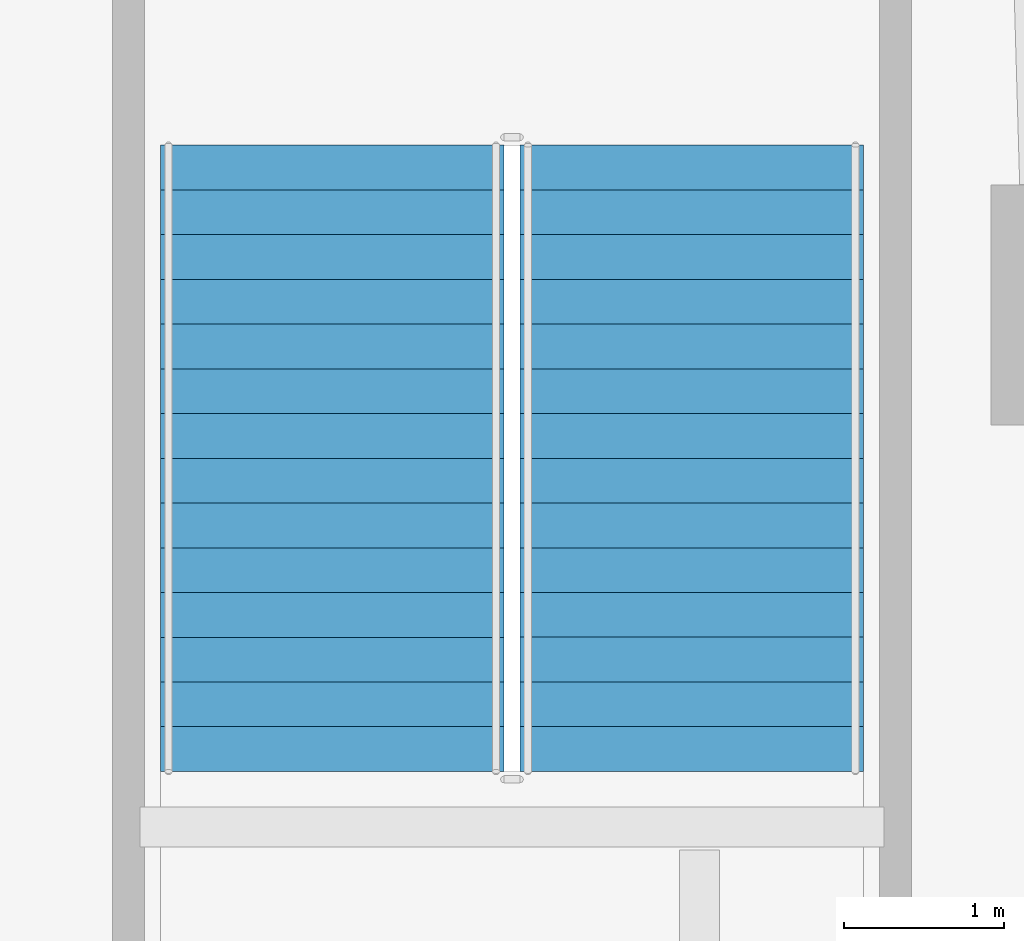
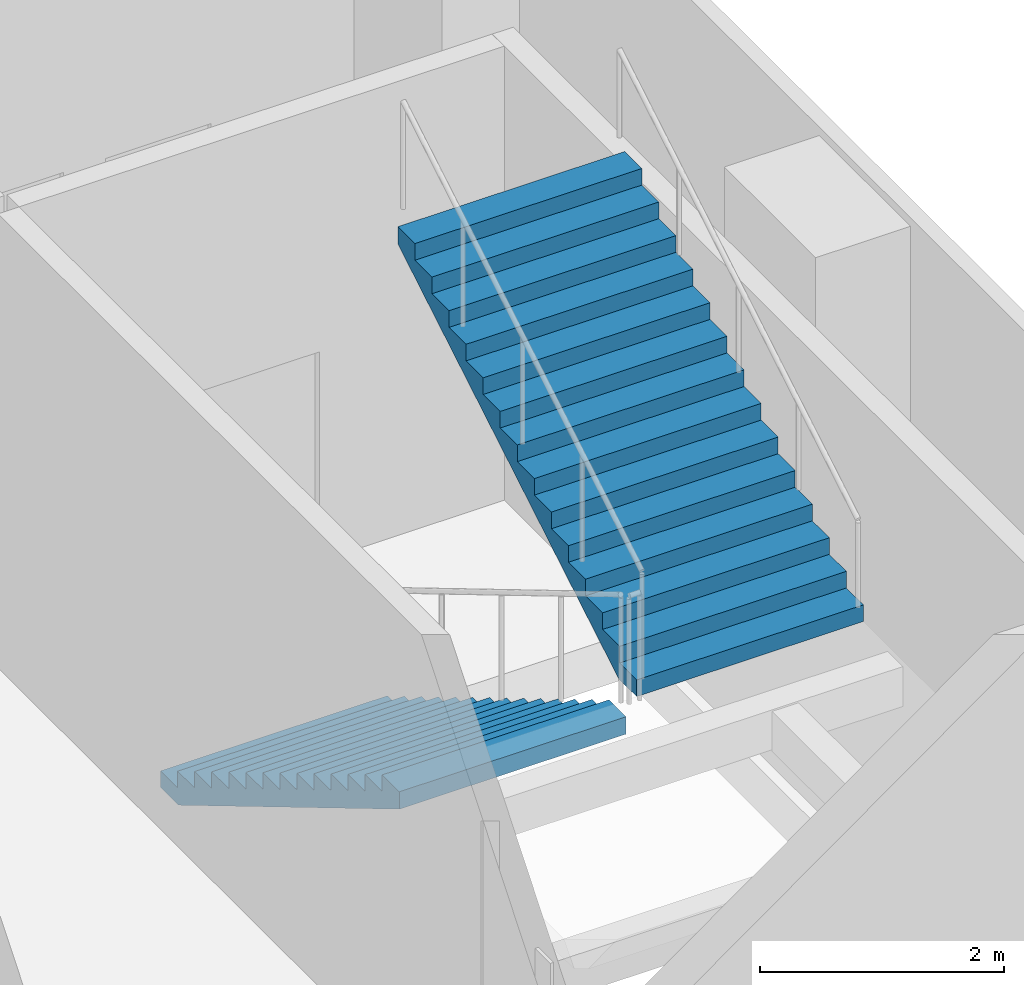
# One storey, part 15 of 24: 2 stair flights, 1 element without a shape of its own.
"""IFC4 building model written with IfcOpenShell, lengths in metres."""

from ifc_helpers import new_model, si_unit, direction, frame, origin, place, context, subcontext, project, spatial, triangles, material, type_object, element, aggregate, save


model = new_model("IFC4")

# Units and contexts
model_context = context("Model", 3, precision=1e-05, world=origin(), true_north=direction((0.0, 1.0)))
body_context = subcontext(model_context, "Body", "Model", "MODEL_VIEW")
ifc_project = project(units=[si_unit("LENGTHUNIT", "METRE"), si_unit("AREAUNIT", "SQUARE_METRE"), si_unit("VOLUMEUNIT", "CUBIC_METRE"), si_unit("PLANEANGLEUNIT", "RADIAN"), si_unit("MASSUNIT", "GRAM", prefix="KILO")], contexts=[model_context])

# Site, building, storey
site_placement = place(None, origin())
site = spatial("IfcSite", under=ifc_project, at=site_placement, CompositionType="ELEMENT")
building_placement = place(site_placement, origin())
building = spatial("IfcBuilding", under=site, at=building_placement, Name="Verdalira Terraces Hotel", CompositionType="ELEMENT")
storey_placement = place(building_placement, frame((0.0, 0.0, 14.0)))
storey = spatial("IfcBuildingStorey", under=building, at=storey_placement, Name="L02", CompositionType="ELEMENT", Elevation=14.0)

# Stair, stair flights
ifc_material_1 = material(Name="Concrete C40", Category="concrete")
stair_type = type_object("IfcStairType", Name="Podium stair 30 risers", PredefinedType="HALF_TURN_STAIR", material=ifc_material_1)
stair_placement = place(storey_placement, origin())
stair = element("IfcStair", 1, at=stair_placement, inside=storey, type_object=stair_type, Name="L02 Exit stair PS4", PredefinedType="HALF_TURN_STAIR")
ifc_material_2 = material(Name="Concrete C40", Category="concrete")
stair_flight_type = type_object("IfcStairFlightType", Name="Podium stair flight 30 risers", PredefinedType="STRAIGHT", material=ifc_material_2)
stair_flight_1_placement = place(storey_placement, frame((19.033447, 1.0, 0.0), z_axis=(0.0, 0.0, 1.0), x_axis=(0.0, -1.0, 0.0)))
stair_flight_1 = element("IfcStairFlight", 2, at=stair_flight_1_placement, type_object=stair_flight_type, Name="PS4 flight 1", NumberOfRisers=15, NumberOfTreads=14, PredefinedType="STRAIGHT", RiserHeight=0.166666667, TreadLength=0.28, context=body_context, shape_type="Tessellation", body=[
    triangles([(0.0, 1.074951, 0.0), (0.292969, 1.074951, 0.0), (3.919922, 1.074951, 2.158936), (0.0, -1.074951, 0.0), (0.292969, -1.074951, 0.0), (3.919922, -1.074951, 2.158936), (3.919922, 1.074951, 2.333252), (3.639893, 1.074951, 2.333252), (3.919922, -1.074951, 2.333252), (3.639893, -1.074951, 2.333252), (3.639893, 1.074951, 2.166748), (3.639893, -1.074951, 2.166748), (3.360107, 1.074951, 2.166748), (3.360107, -1.074951, 2.166748), (3.360107, 1.074951, 2.0), (3.360107, -1.074951, 2.0), (3.080078, 1.074951, 2.0), (3.080078, 1.074951, 1.833252), (3.080078, -1.074951, 2.0), (3.080078, -1.074951, 1.833252), (2.800049, 1.074951, 1.833252), (2.800049, 1.074951, 1.666748), (2.800049, -1.074951, 1.833252), (2.800049, -1.074951, 1.666748), (2.52002, 1.074951, 1.666748), (2.52002, 1.074951, 1.5), (2.52002, -1.074951, 1.666748), (2.52002, -1.074951, 1.5), (2.23999, 1.074951, 1.5), (2.23999, 1.074951, 1.333252), (2.23999, -1.074951, 1.5), (2.23999, -1.074951, 1.333252), (1.959961, 1.074951, 1.333252), (1.959961, 1.074951, 1.166748), (1.959961, -1.074951, 1.333252), (1.959961, -1.074951, 1.166748), (1.679932, 1.074951, 1.166748), (1.679932, 1.074951, 1.0), (1.679932, -1.074951, 1.166748), (1.679932, -1.074951, 1.0), (1.399902, 1.074951, 1.0), (1.399902, 1.074951, 0.833252), (1.399902, -1.074951, 1.0), (1.399902, -1.074951, 0.833252), (1.120117, 1.074951, 0.833252), (1.120117, 1.074951, 0.666748), (1.120117, -1.074951, 0.833252), (1.120117, -1.074951, 0.666748), (0.840088, 1.074951, 0.666748), (0.840088, 1.074951, 0.5), (0.840088, -1.074951, 0.666748), (0.840088, -1.074951, 0.5), (0.560059, 1.074951, 0.5), (0.560059, 1.074951, 0.333252), (0.560059, -1.074951, 0.5), (0.560059, -1.074951, 0.333252), (0.280029, 1.074951, 0.333252), (0.280029, 1.074951, 0.166748), (0.280029, -1.074951, 0.333252), (0.280029, -1.074951, 0.166748), (0.0, 1.074951, 0.166748), (0.0, -1.074951, 0.166748), (0.0, -1.007767, 0.0), (0.0, -1.007767, 0.166748), (0.0, -0.940582, 0.0), (0.0, -0.940582, 0.166748), (0.0, -0.873398, 0.0), (0.0, -0.873398, 0.166748), (0.0, -0.806213, 0.0), (0.0, -0.806213, 0.166748), (0.0, -0.739029, 0.0), (0.0, -0.739029, 0.166748), (0.0, -0.671844, 0.0), (0.0, -0.671844, 0.166748), (0.0, -0.60466, 0.0), (0.0, -0.60466, 0.166748), (0.0, -0.537476, 0.0), (0.0, -0.537476, 0.166748), (0.0, -0.470291, 0.0), (0.0, -0.470291, 0.166748), (0.0, -0.403107, 0.0), (0.0, -0.403107, 0.166748), (0.0, -0.335922, 0.0), (0.0, -0.335922, 0.166748), (0.0, -0.268738, 0.0), (0.0, -0.268738, 0.166748), (0.0, -0.201553, 0.0), (0.0, -0.201553, 0.166748), (0.0, -0.134369, 0.0), (0.0, -0.134369, 0.166748), (0.0, -0.067184, 0.0), (0.0, -0.067184, 0.166748), (0.0, 0.0, 0.0), (0.0, 0.0, 0.166748), (0.0, 0.067184, 0.0), (0.0, 0.067184, 0.166748), (0.0, 0.134369, 0.0), (0.0, 0.134369, 0.166748), (0.0, 0.201553, 0.0), (0.0, 0.201553, 0.166748), (0.0, 0.268738, 0.0), (0.0, 0.268738, 0.166748), (0.0, 0.335922, 0.0), (0.0, 0.335922, 0.166748), (0.0, 0.403107, 0.0), (0.0, 0.403107, 0.166748), (0.0, 0.470291, 0.0), (0.0, 0.470291, 0.166748), (0.0, 0.537476, 0.0), (0.0, 0.537476, 0.166748), (0.0, 0.60466, 0.0), (0.0, 0.60466, 0.166748), (0.0, 0.671844, 0.0), (0.0, 0.671844, 0.166748), (0.0, 0.739029, 0.0), (0.0, 0.739029, 0.166748), (0.0, 0.806213, 0.0), (0.0, 0.806213, 0.166748), (0.0, 0.873398, 0.0), (0.0, 0.873398, 0.166748), (0.0, 0.940582, 0.0), (0.0, 0.940582, 0.166748), (0.0, 1.007767, 0.0), (0.0, 1.007767, 0.166748), (3.919922, -1.007767, 2.333252), (3.919922, -0.940582, 2.333252), (3.919922, -0.873398, 2.333252), (3.919922, -0.806213, 2.333252), (3.919922, -0.739029, 2.333252), (3.919922, -0.671844, 2.333252), (3.919922, -0.60466, 2.333252), (3.919922, -0.537476, 2.333252), (3.919922, -0.470291, 2.333252), (3.919922, -0.403107, 2.333252), (3.919922, -0.335922, 2.333252), (3.919922, -0.268738, 2.333252), (3.919922, -0.201553, 2.333252), (3.919922, -0.134369, 2.333252), (3.919922, -0.067184, 2.333252), (3.919922, 0.0, 2.333252), (3.919922, 0.067184, 2.333252), (3.919922, 0.134369, 2.333252), (3.919922, 0.201553, 2.333252), (3.919922, 0.268738, 2.333252), (3.919922, 0.335922, 2.333252), (3.919922, 0.403107, 2.333252), (3.919922, 0.470291, 2.333252), (3.919922, 0.537476, 2.333252), (3.919922, 0.60466, 2.333252), (3.919922, 0.671844, 2.333252), (3.919922, 0.739029, 2.333252), (3.919922, 0.806213, 2.333252), (3.919922, 0.873398, 2.333252), (3.919922, 0.940582, 2.333252), (3.919922, 1.007767, 2.333252), (3.919922, -1.007767, 2.158936), (3.919922, -0.940582, 2.158936), (3.919922, -0.873398, 2.158936), (3.919922, -0.806213, 2.158936), (3.919922, -0.739029, 2.158936), (3.919922, -0.671844, 2.158936), (3.919922, -0.60466, 2.158936), (3.919922, -0.537476, 2.158936), (3.919922, -0.470291, 2.158936), (3.919922, -0.403107, 2.158936), (3.919922, -0.335922, 2.158936), (3.919922, -0.268738, 2.158936), (3.919922, -0.201553, 2.158936), (3.919922, -0.134369, 2.158936), (3.919922, -0.067184, 2.158936), (3.919922, 0.0, 2.158936), (3.919922, 0.067184, 2.158936), (3.919922, 0.134369, 2.158936), (3.919922, 0.201553, 2.158936), (3.919922, 0.268738, 2.158936), (3.919922, 0.335922, 2.158936), (3.919922, 0.403107, 2.158936), (3.919922, 0.470291, 2.158936), (3.919922, 0.537476, 2.158936), (3.919922, 0.60466, 2.158936), (3.919922, 0.671844, 2.158936), (3.919922, 0.739029, 2.158936), (3.919922, 0.806213, 2.158936), (3.919922, 0.873398, 2.158936), (3.919922, 0.940582, 2.158936), (3.919922, 1.007767, 2.158936)], [[1, 3, 2], [4, 5, 6], [3, 8, 7], [6, 9, 10], [3, 11, 8], [6, 10, 12], [3, 13, 11], [6, 12, 14], [3, 15, 13], [6, 14, 16], [15, 18, 17], [16, 19, 20], [3, 18, 15], [6, 16, 20], [18, 22, 21], [20, 23, 24], [3, 22, 18], [6, 20, 24], [22, 26, 25], [24, 27, 28], [3, 26, 22], [6, 24, 28], [26, 30, 29], [28, 31, 32], [3, 30, 26], [6, 28, 32], [30, 34, 33], [32, 35, 36], [3, 34, 30], [6, 32, 36], [34, 38, 37], [36, 39, 40], [3, 38, 34], [6, 36, 40], [38, 42, 41], [40, 43, 44], [3, 42, 38], [6, 40, 44], [42, 46, 45], [44, 47, 48], [3, 46, 42], [6, 44, 48], [46, 50, 49], [48, 51, 52], [3, 50, 46], [6, 48, 52], [50, 54, 53], [52, 55, 56], [3, 54, 50], [6, 52, 56], [1, 54, 3], [4, 6, 56], [54, 58, 57], [56, 59, 60], [1, 58, 54], [4, 56, 60], [58, 1, 61], [60, 62, 4], [4, 64, 63], [4, 62, 64], [63, 66, 65], [63, 64, 66], [65, 68, 67], [65, 66, 68], [67, 70, 69], [67, 68, 70], [69, 72, 71], [69, 70, 72], [71, 74, 73], [71, 72, 74], [73, 76, 75], [73, 74, 76], [75, 78, 77], [75, 76, 78], [77, 80, 79], [77, 78, 80], [79, 82, 81], [79, 80, 82], [81, 84, 83], [81, 82, 84], [83, 86, 85], [83, 84, 86], [85, 88, 87], [85, 86, 88], [87, 90, 89], [87, 88, 90], [89, 92, 91], [89, 90, 92], [91, 94, 93], [91, 92, 94], [93, 96, 95], [93, 94, 96], [95, 98, 97], [95, 96, 98], [97, 100, 99], [97, 98, 100], [99, 102, 101], [99, 100, 102], [101, 104, 103], [101, 102, 104], [103, 106, 105], [103, 104, 106], [105, 108, 107], [105, 106, 108], [107, 110, 109], [107, 108, 110], [109, 112, 111], [109, 110, 112], [111, 114, 113], [111, 112, 114], [113, 116, 115], [113, 114, 116], [115, 118, 117], [115, 116, 118], [117, 120, 119], [117, 118, 120], [119, 122, 121], [119, 120, 122], [121, 124, 123], [121, 122, 124], [123, 61, 1], [123, 124, 61], [62, 60, 64], [64, 60, 66], [66, 60, 68], [68, 60, 70], [70, 60, 72], [72, 60, 74], [74, 60, 76], [76, 60, 78], [78, 60, 80], [80, 60, 82], [82, 60, 84], [84, 60, 86], [86, 60, 88], [88, 60, 90], [90, 60, 92], [92, 60, 94], [94, 60, 96], [96, 60, 98], [98, 60, 100], [100, 60, 102], [102, 60, 104], [104, 60, 106], [106, 60, 108], [108, 60, 110], [110, 60, 112], [112, 60, 114], [114, 60, 116], [116, 60, 118], [118, 60, 120], [120, 60, 122], [122, 60, 124], [124, 60, 61], [61, 60, 58], [60, 57, 58], [60, 59, 57], [59, 54, 57], [59, 56, 54], [56, 53, 54], [56, 55, 53], [55, 50, 53], [55, 52, 50], [52, 49, 50], [52, 51, 49], [51, 46, 49], [51, 48, 46], [48, 45, 46], [48, 47, 45], [47, 42, 45], [47, 44, 42], [44, 41, 42], [44, 43, 41], [43, 38, 41], [43, 40, 38], [40, 37, 38], [40, 39, 37], [39, 34, 37], [39, 36, 34], [36, 33, 34], [36, 35, 33], [35, 30, 33], [35, 32, 30], [32, 29, 30], [32, 31, 29], [31, 26, 29], [31, 28, 26], [28, 25, 26], [28, 27, 25], [27, 22, 25], [27, 24, 22], [24, 21, 22], [24, 23, 21], [23, 18, 21], [23, 20, 18], [20, 17, 18], [20, 19, 17], [19, 15, 17], [19, 16, 15], [16, 13, 15], [16, 14, 13], [14, 11, 13], [14, 12, 11], [12, 8, 11], [12, 10, 8], [9, 125, 10], [125, 126, 10], [126, 127, 10], [127, 128, 10], [128, 129, 10], [129, 130, 10], [130, 131, 10], [131, 132, 10], [132, 133, 10], [133, 134, 10], [134, 135, 10], [135, 136, 10], [136, 137, 10], [137, 138, 10], [138, 139, 10], [139, 140, 10], [140, 141, 10], [141, 142, 10], [142, 143, 10], [143, 144, 10], [144, 145, 10], [145, 146, 10], [146, 147, 10], [147, 148, 10], [148, 149, 10], [149, 150, 10], [150, 151, 10], [151, 152, 10], [152, 153, 10], [153, 154, 10], [154, 155, 10], [155, 7, 10], [7, 8, 10], [9, 156, 125], [9, 6, 156], [125, 157, 126], [125, 156, 157], [126, 158, 127], [126, 157, 158], [127, 159, 128], [127, 158, 159], [128, 160, 129], [128, 159, 160], [129, 161, 130], [129, 160, 161], [130, 162, 131], [130, 161, 162], [131, 163, 132], [131, 162, 163], [132, 164, 133], [132, 163, 164], [133, 165, 134], [133, 164, 165], [134, 166, 135], [134, 165, 166], [135, 167, 136], [135, 166, 167], [136, 168, 137], [136, 167, 168], [137, 169, 138], [137, 168, 169], [138, 170, 139], [138, 169, 170], [139, 171, 140], [139, 170, 171], [140, 172, 141], [140, 171, 172], [141, 173, 142], [141, 172, 173], [142, 174, 143], [142, 173, 174], [143, 175, 144], [143, 174, 175], [144, 176, 145], [144, 175, 176], [145, 177, 146], [145, 176, 177], [146, 178, 147], [146, 177, 178], [147, 179, 148], [147, 178, 179], [148, 180, 149], [148, 179, 180], [149, 181, 150], [149, 180, 181], [150, 182, 151], [150, 181, 182], [151, 183, 152], [151, 182, 183], [152, 184, 153], [152, 183, 184], [153, 185, 154], [153, 184, 185], [154, 186, 155], [154, 185, 186], [155, 3, 7], [155, 186, 3], [6, 5, 156], [156, 5, 157], [157, 5, 158], [158, 5, 159], [159, 5, 160], [160, 5, 161], [161, 5, 162], [162, 5, 163], [163, 5, 164], [164, 5, 165], [165, 5, 166], [166, 5, 167], [167, 5, 168], [168, 5, 169], [169, 5, 170], [170, 5, 171], [171, 5, 172], [172, 5, 173], [173, 5, 174], [174, 5, 175], [175, 5, 176], [176, 5, 177], [177, 5, 178], [178, 5, 179], [179, 5, 180], [180, 5, 181], [181, 5, 182], [182, 5, 183], [183, 5, 184], [184, 5, 185], [185, 5, 186], [186, 5, 3], [3, 5, 2], [4, 63, 5], [63, 65, 5], [65, 67, 5], [67, 69, 5], [69, 71, 5], [71, 73, 5], [73, 75, 5], [75, 77, 5], [77, 79, 5], [79, 81, 5], [81, 83, 5], [83, 85, 5], [85, 87, 5], [87, 89, 5], [89, 91, 5], [91, 93, 5], [93, 95, 5], [95, 97, 5], [97, 99, 5], [99, 101, 5], [101, 103, 5], [103, 105, 5], [105, 107, 5], [107, 109, 5], [109, 111, 5], [111, 113, 5], [113, 115, 5], [115, 117, 5], [117, 119, 5], [119, 121, 5], [121, 123, 5], [123, 1, 5], [1, 2, 5]], closed=True),
])
stair_flight_2_placement = place(storey_placement, frame((21.283447, -2.919922, 2.5), z_axis=(0.0, 0.0, 1.0), x_axis=(0.0, 1.0, 0.0)))
stair_flight_2 = element("IfcStairFlight", 3, at=stair_flight_2_placement, type_object=stair_flight_type, Name="PS4 flight 2", NumberOfRisers=15, NumberOfTreads=14, PredefinedType="STRAIGHT", RiserHeight=0.166666667, TreadLength=0.28, context=body_context, shape_type="Tessellation", body=[
    triangles([(0.0, 1.074951, 0.0), (0.292969, 1.074951, 0.0), (3.919922, 1.074951, 2.158936), (0.0, -1.074951, 0.0), (0.292969, -1.074951, 0.0), (3.919922, -1.074951, 2.158936), (3.919922, 1.074951, 2.333252), (3.639893, 1.074951, 2.333252), (3.919922, -1.074951, 2.333252), (3.639893, -1.074951, 2.333252), (3.639893, 1.074951, 2.166748), (3.639893, -1.074951, 2.166748), (3.360107, 1.074951, 2.166748), (3.360107, -1.074951, 2.166748), (3.360107, 1.074951, 2.0), (3.360107, -1.074951, 2.0), (3.080078, 1.074951, 2.0), (3.080078, 1.074951, 1.833252), (3.080078, -1.074951, 2.0), (3.080078, -1.074951, 1.833252), (2.800049, 1.074951, 1.833252), (2.800049, 1.074951, 1.666748), (2.800049, -1.074951, 1.833252), (2.800049, -1.074951, 1.666748), (2.52002, 1.074951, 1.666748), (2.52002, 1.074951, 1.5), (2.52002, -1.074951, 1.666748), (2.52002, -1.074951, 1.5), (2.23999, 1.074951, 1.5), (2.23999, 1.074951, 1.333252), (2.23999, -1.074951, 1.5), (2.23999, -1.074951, 1.333252), (1.959961, 1.074951, 1.333252), (1.959961, 1.074951, 1.166748), (1.959961, -1.074951, 1.333252), (1.959961, -1.074951, 1.166748), (1.679932, 1.074951, 1.166748), (1.679932, 1.074951, 1.0), (1.679932, -1.074951, 1.166748), (1.679932, -1.074951, 1.0), (1.399902, 1.074951, 1.0), (1.399902, 1.074951, 0.833252), (1.399902, -1.074951, 1.0), (1.399902, -1.074951, 0.833252), (1.120117, 1.074951, 0.833252), (1.120117, 1.074951, 0.666748), (1.120117, -1.074951, 0.833252), (1.120117, -1.074951, 0.666748), (0.840088, 1.074951, 0.666748), (0.840088, 1.074951, 0.5), (0.840088, -1.074951, 0.666748), (0.840088, -1.074951, 0.5), (0.560059, 1.074951, 0.5), (0.560059, 1.074951, 0.333252), (0.560059, -1.074951, 0.5), (0.560059, -1.074951, 0.333252), (0.280029, 1.074951, 0.333252), (0.280029, 1.074951, 0.166748), (0.280029, -1.074951, 0.333252), (0.280029, -1.074951, 0.166748), (0.0, 1.074951, 0.166748), (0.0, -1.074951, 0.166748), (0.0, -1.007767, 0.0), (0.0, -1.007767, 0.166748), (0.0, -0.940582, 0.0), (0.0, -0.940582, 0.166748), (0.0, -0.873398, 0.0), (0.0, -0.873398, 0.166748), (0.0, -0.806213, 0.0), (0.0, -0.806213, 0.166748), (0.0, -0.739029, 0.0), (0.0, -0.739029, 0.166748), (0.0, -0.671844, 0.0), (0.0, -0.671844, 0.166748), (0.0, -0.60466, 0.0), (0.0, -0.60466, 0.166748), (0.0, -0.537476, 0.0), (0.0, -0.537476, 0.166748), (0.0, -0.470291, 0.0), (0.0, -0.470291, 0.166748), (0.0, -0.403107, 0.0), (0.0, -0.403107, 0.166748), (0.0, -0.335922, 0.0), (0.0, -0.335922, 0.166748), (0.0, -0.268738, 0.0), (0.0, -0.268738, 0.166748), (0.0, -0.201553, 0.0), (0.0, -0.201553, 0.166748), (0.0, -0.134369, 0.0), (0.0, -0.134369, 0.166748), (0.0, -0.067184, 0.0), (0.0, -0.067184, 0.166748), (0.0, 0.0, 0.0), (0.0, 0.0, 0.166748), (0.0, 0.067184, 0.0), (0.0, 0.067184, 0.166748), (0.0, 0.134369, 0.0), (0.0, 0.134369, 0.166748), (0.0, 0.201553, 0.0), (0.0, 0.201553, 0.166748), (0.0, 0.268738, 0.0), (0.0, 0.268738, 0.166748), (0.0, 0.335922, 0.0), (0.0, 0.335922, 0.166748), (0.0, 0.403107, 0.0), (0.0, 0.403107, 0.166748), (0.0, 0.470291, 0.0), (0.0, 0.470291, 0.166748), (0.0, 0.537476, 0.0), (0.0, 0.537476, 0.166748), (0.0, 0.60466, 0.0), (0.0, 0.60466, 0.166748), (0.0, 0.671844, 0.0), (0.0, 0.671844, 0.166748), (0.0, 0.739029, 0.0), (0.0, 0.739029, 0.166748), (0.0, 0.806213, 0.0), (0.0, 0.806213, 0.166748), (0.0, 0.873398, 0.0), (0.0, 0.873398, 0.166748), (0.0, 0.940582, 0.0), (0.0, 0.940582, 0.166748), (0.0, 1.007767, 0.0), (0.0, 1.007767, 0.166748), (3.919922, -1.007767, 2.333252), (3.919922, -0.940582, 2.333252), (3.919922, -0.873398, 2.333252), (3.919922, -0.806213, 2.333252), (3.919922, -0.739029, 2.333252), (3.919922, -0.671844, 2.333252), (3.919922, -0.60466, 2.333252), (3.919922, -0.537476, 2.333252), (3.919922, -0.470291, 2.333252), (3.919922, -0.403107, 2.333252), (3.919922, -0.335922, 2.333252), (3.919922, -0.268738, 2.333252), (3.919922, -0.201553, 2.333252), (3.919922, -0.134369, 2.333252), (3.919922, -0.067184, 2.333252), (3.919922, 0.0, 2.333252), (3.919922, 0.067184, 2.333252), (3.919922, 0.134369, 2.333252), (3.919922, 0.201553, 2.333252), (3.919922, 0.268738, 2.333252), (3.919922, 0.335922, 2.333252), (3.919922, 0.403107, 2.333252), (3.919922, 0.470291, 2.333252), (3.919922, 0.537476, 2.333252), (3.919922, 0.60466, 2.333252), (3.919922, 0.671844, 2.333252), (3.919922, 0.739029, 2.333252), (3.919922, 0.806213, 2.333252), (3.919922, 0.873398, 2.333252), (3.919922, 0.940582, 2.333252), (3.919922, 1.007767, 2.333252), (3.919922, -1.007767, 2.158936), (3.919922, -0.940582, 2.158936), (3.919922, -0.873398, 2.158936), (3.919922, -0.806213, 2.158936), (3.919922, -0.739029, 2.158936), (3.919922, -0.671844, 2.158936), (3.919922, -0.60466, 2.158936), (3.919922, -0.537476, 2.158936), (3.919922, -0.470291, 2.158936), (3.919922, -0.403107, 2.158936), (3.919922, -0.335922, 2.158936), (3.919922, -0.268738, 2.158936), (3.919922, -0.201553, 2.158936), (3.919922, -0.134369, 2.158936), (3.919922, -0.067184, 2.158936), (3.919922, 0.0, 2.158936), (3.919922, 0.067184, 2.158936), (3.919922, 0.134369, 2.158936), (3.919922, 0.201553, 2.158936), (3.919922, 0.268738, 2.158936), (3.919922, 0.335922, 2.158936), (3.919922, 0.403107, 2.158936), (3.919922, 0.470291, 2.158936), (3.919922, 0.537476, 2.158936), (3.919922, 0.60466, 2.158936), (3.919922, 0.671844, 2.158936), (3.919922, 0.739029, 2.158936), (3.919922, 0.806213, 2.158936), (3.919922, 0.873398, 2.158936), (3.919922, 0.940582, 2.158936), (3.919922, 1.007767, 2.158936)], [[1, 3, 2], [4, 5, 6], [3, 8, 7], [6, 9, 10], [3, 11, 8], [6, 10, 12], [3, 13, 11], [6, 12, 14], [3, 15, 13], [6, 14, 16], [15, 18, 17], [16, 19, 20], [3, 18, 15], [6, 16, 20], [18, 22, 21], [20, 23, 24], [3, 22, 18], [6, 20, 24], [22, 26, 25], [24, 27, 28], [3, 26, 22], [6, 24, 28], [26, 30, 29], [28, 31, 32], [3, 30, 26], [6, 28, 32], [30, 34, 33], [32, 35, 36], [3, 34, 30], [6, 32, 36], [34, 38, 37], [36, 39, 40], [3, 38, 34], [6, 36, 40], [38, 42, 41], [40, 43, 44], [3, 42, 38], [6, 40, 44], [42, 46, 45], [44, 47, 48], [3, 46, 42], [6, 44, 48], [46, 50, 49], [48, 51, 52], [3, 50, 46], [6, 48, 52], [50, 54, 53], [52, 55, 56], [3, 54, 50], [6, 52, 56], [1, 54, 3], [4, 6, 56], [54, 58, 57], [56, 59, 60], [1, 58, 54], [4, 56, 60], [58, 1, 61], [60, 62, 4], [4, 64, 63], [4, 62, 64], [63, 66, 65], [63, 64, 66], [65, 68, 67], [65, 66, 68], [67, 70, 69], [67, 68, 70], [69, 72, 71], [69, 70, 72], [71, 74, 73], [71, 72, 74], [73, 76, 75], [73, 74, 76], [75, 78, 77], [75, 76, 78], [77, 80, 79], [77, 78, 80], [79, 82, 81], [79, 80, 82], [81, 84, 83], [81, 82, 84], [83, 86, 85], [83, 84, 86], [85, 88, 87], [85, 86, 88], [87, 90, 89], [87, 88, 90], [89, 92, 91], [89, 90, 92], [91, 94, 93], [91, 92, 94], [93, 96, 95], [93, 94, 96], [95, 98, 97], [95, 96, 98], [97, 100, 99], [97, 98, 100], [99, 102, 101], [99, 100, 102], [101, 104, 103], [101, 102, 104], [103, 106, 105], [103, 104, 106], [105, 108, 107], [105, 106, 108], [107, 110, 109], [107, 108, 110], [109, 112, 111], [109, 110, 112], [111, 114, 113], [111, 112, 114], [113, 116, 115], [113, 114, 116], [115, 118, 117], [115, 116, 118], [117, 120, 119], [117, 118, 120], [119, 122, 121], [119, 120, 122], [121, 124, 123], [121, 122, 124], [123, 61, 1], [123, 124, 61], [62, 60, 64], [64, 60, 66], [66, 60, 68], [68, 60, 70], [70, 60, 72], [72, 60, 74], [74, 60, 76], [76, 60, 78], [78, 60, 80], [80, 60, 82], [82, 60, 84], [84, 60, 86], [86, 60, 88], [88, 60, 90], [90, 60, 92], [92, 60, 94], [94, 60, 96], [96, 60, 98], [98, 60, 100], [100, 60, 102], [102, 60, 104], [104, 60, 106], [106, 60, 108], [108, 60, 110], [110, 60, 112], [112, 60, 114], [114, 60, 116], [116, 60, 118], [118, 60, 120], [120, 60, 122], [122, 60, 124], [124, 60, 61], [61, 60, 58], [60, 57, 58], [60, 59, 57], [59, 54, 57], [59, 56, 54], [56, 53, 54], [56, 55, 53], [55, 50, 53], [55, 52, 50], [52, 49, 50], [52, 51, 49], [51, 46, 49], [51, 48, 46], [48, 45, 46], [48, 47, 45], [47, 42, 45], [47, 44, 42], [44, 41, 42], [44, 43, 41], [43, 38, 41], [43, 40, 38], [40, 37, 38], [40, 39, 37], [39, 34, 37], [39, 36, 34], [36, 33, 34], [36, 35, 33], [35, 30, 33], [35, 32, 30], [32, 29, 30], [32, 31, 29], [31, 26, 29], [31, 28, 26], [28, 25, 26], [28, 27, 25], [27, 22, 25], [27, 24, 22], [24, 21, 22], [24, 23, 21], [23, 18, 21], [23, 20, 18], [20, 17, 18], [20, 19, 17], [19, 15, 17], [19, 16, 15], [16, 13, 15], [16, 14, 13], [14, 11, 13], [14, 12, 11], [12, 8, 11], [12, 10, 8], [9, 125, 10], [125, 126, 10], [126, 127, 10], [127, 128, 10], [128, 129, 10], [129, 130, 10], [130, 131, 10], [131, 132, 10], [132, 133, 10], [133, 134, 10], [134, 135, 10], [135, 136, 10], [136, 137, 10], [137, 138, 10], [138, 139, 10], [139, 140, 10], [140, 141, 10], [141, 142, 10], [142, 143, 10], [143, 144, 10], [144, 145, 10], [145, 146, 10], [146, 147, 10], [147, 148, 10], [148, 149, 10], [149, 150, 10], [150, 151, 10], [151, 152, 10], [152, 153, 10], [153, 154, 10], [154, 155, 10], [155, 7, 10], [7, 8, 10], [9, 156, 125], [9, 6, 156], [125, 157, 126], [125, 156, 157], [126, 158, 127], [126, 157, 158], [127, 159, 128], [127, 158, 159], [128, 160, 129], [128, 159, 160], [129, 161, 130], [129, 160, 161], [130, 162, 131], [130, 161, 162], [131, 163, 132], [131, 162, 163], [132, 164, 133], [132, 163, 164], [133, 165, 134], [133, 164, 165], [134, 166, 135], [134, 165, 166], [135, 167, 136], [135, 166, 167], [136, 168, 137], [136, 167, 168], [137, 169, 138], [137, 168, 169], [138, 170, 139], [138, 169, 170], [139, 171, 140], [139, 170, 171], [140, 172, 141], [140, 171, 172], [141, 173, 142], [141, 172, 173], [142, 174, 143], [142, 173, 174], [143, 175, 144], [143, 174, 175], [144, 176, 145], [144, 175, 176], [145, 177, 146], [145, 176, 177], [146, 178, 147], [146, 177, 178], [147, 179, 148], [147, 178, 179], [148, 180, 149], [148, 179, 180], [149, 181, 150], [149, 180, 181], [150, 182, 151], [150, 181, 182], [151, 183, 152], [151, 182, 183], [152, 184, 153], [152, 183, 184], [153, 185, 154], [153, 184, 185], [154, 186, 155], [154, 185, 186], [155, 3, 7], [155, 186, 3], [6, 5, 156], [156, 5, 157], [157, 5, 158], [158, 5, 159], [159, 5, 160], [160, 5, 161], [161, 5, 162], [162, 5, 163], [163, 5, 164], [164, 5, 165], [165, 5, 166], [166, 5, 167], [167, 5, 168], [168, 5, 169], [169, 5, 170], [170, 5, 171], [171, 5, 172], [172, 5, 173], [173, 5, 174], [174, 5, 175], [175, 5, 176], [176, 5, 177], [177, 5, 178], [178, 5, 179], [179, 5, 180], [180, 5, 181], [181, 5, 182], [182, 5, 183], [183, 5, 184], [184, 5, 185], [185, 5, 186], [186, 5, 3], [3, 5, 2], [4, 63, 5], [63, 65, 5], [65, 67, 5], [67, 69, 5], [69, 71, 5], [71, 73, 5], [73, 75, 5], [75, 77, 5], [77, 79, 5], [79, 81, 5], [81, 83, 5], [83, 85, 5], [85, 87, 5], [87, 89, 5], [89, 91, 5], [91, 93, 5], [93, 95, 5], [95, 97, 5], [97, 99, 5], [99, 101, 5], [101, 103, 5], [103, 105, 5], [105, 107, 5], [107, 109, 5], [109, 111, 5], [111, 113, 5], [113, 115, 5], [115, 117, 5], [117, 119, 5], [119, 121, 5], [121, 123, 5], [123, 1, 5], [1, 2, 5]], closed=True),
])
aggregate(stair, [stair_flight_1, stair_flight_2])

save(model, "model.ifc")
